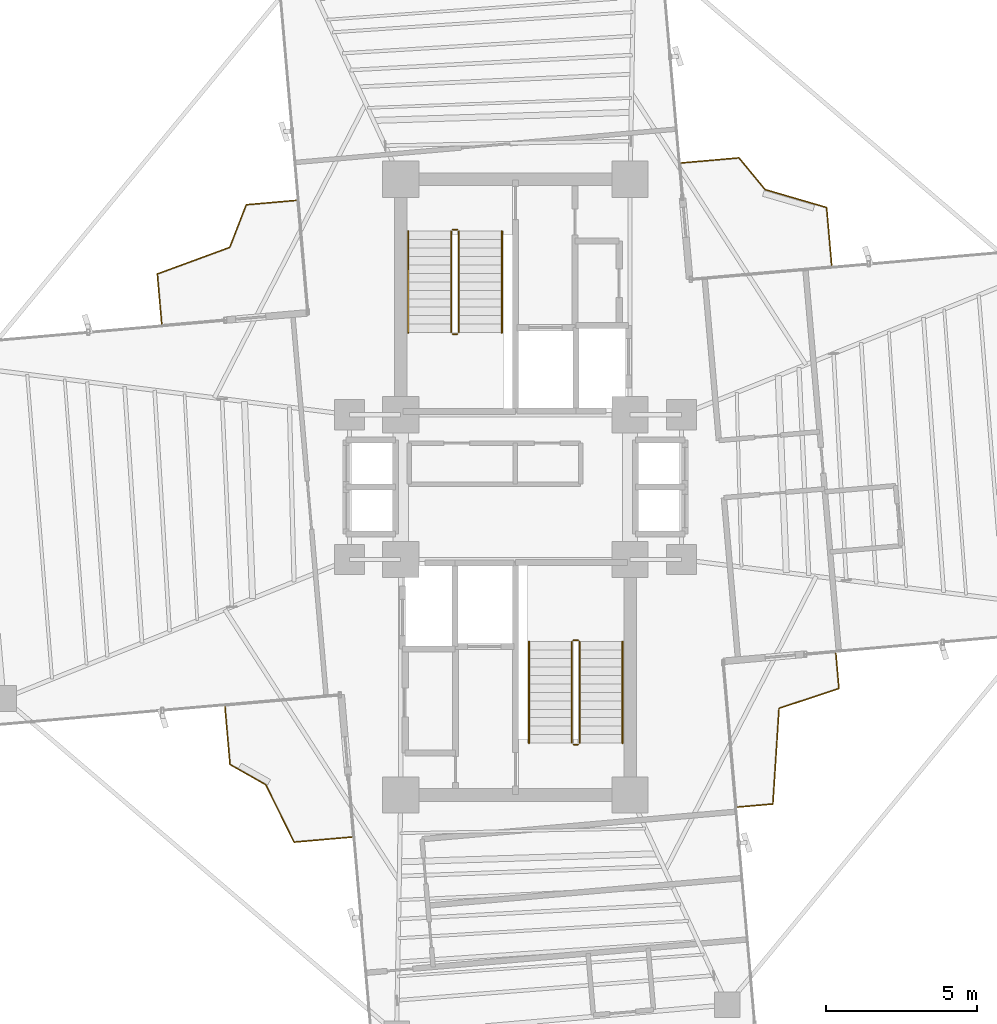
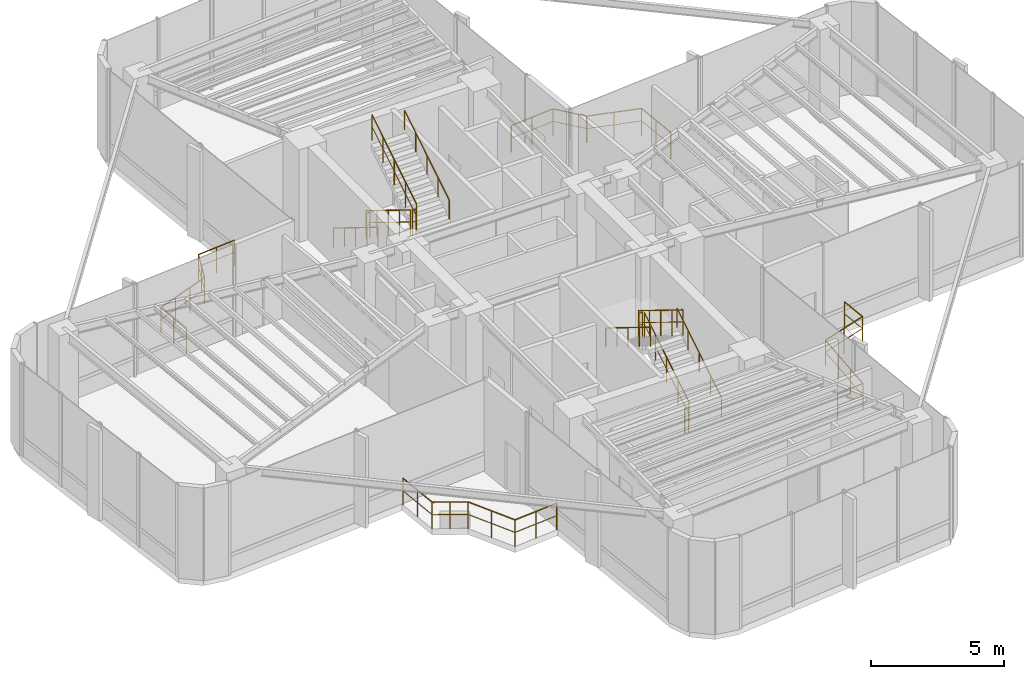
# One storey, part 19 of 19: 16 railings.
"""IFC4 building model written with IfcOpenShell, lengths in metres."""

from ifc_helpers import new_model, si_unit, direction, frame, origin, origin_2d, place, context, subcontext, project, spatial, circle, extrude, material, type_object, element, save


model = new_model("IFC4")

# Units and contexts
model_context = context("Model", 3, precision=1e-05, world=origin(), true_north=direction((0.0, 1.0)))
body_context = subcontext(model_context, "Body", "Model", "MODEL_VIEW")
ifc_project = project(units=[si_unit("LENGTHUNIT", "METRE"), si_unit("AREAUNIT", "SQUARE_METRE"), si_unit("VOLUMEUNIT", "CUBIC_METRE"), si_unit("PLANEANGLEUNIT", "RADIAN"), si_unit("MASSUNIT", "GRAM", prefix="KILO")], contexts=[model_context])

# Site, building, storey
site_placement = place(None, origin())
site = spatial("IfcSite", under=ifc_project, at=site_placement, CompositionType="ELEMENT")
building_placement = place(site_placement, origin())
building = spatial("IfcBuilding", under=site, at=building_placement, Name="Sahyath Konkavel Grand Hotel", CompositionType="ELEMENT")
storey_placement = place(building_placement, frame((0.0, 0.0, 170.699951171875)))
storey = spatial("IfcBuildingStorey", under=building, at=storey_placement, Name="L47", CompositionType="ELEMENT", Elevation=170.699951171875)

# Railings
ifc_material_1 = material(Name="Anodised Bronze Aluminium", Category="aluminium")
railing_type_1 = type_object("IfcRailingType", Name="RLG-BALC-1200", PredefinedType="GUARDRAIL", material=ifc_material_1)
railing_1_placement = place(storey_placement, frame((-7.265625, 9.5, 0.0)))
element("IfcRailing", 1, at=railing_1_placement, inside=storey, type_object=railing_type_1, Name="L47 Winter-Garden Guard NW", PredefinedType="GUARDRAIL", context=body_context, shape_type="SweptSolid", body=[
    extrude(circle(Radius=0.02392578125, at=origin_2d()), frame((-0.001953125, -0.000244140625, 1.17578125), z_axis=(-0.996183485611, -0.087283807176, 0.0), x_axis=(0.087283807176, -0.996183485611, 0.0)), (0.0, 0.0, 1.0), 1.65478515625),
    extrude(circle(Radius=0.01416015625, at=origin_2d()), frame((-0.001953125, -0.000244140625, 0.6240234375), z_axis=(-0.996183485611, -0.087283807176, 0.0), x_axis=(0.087283807176, -0.996183485611, 0.0)), (0.0, 0.0, 1.0), 1.65478515625),
    extrude(circle(Radius=0.02392578125, at=origin_2d()), frame((-1.653076171875, -0.146728515625, 1.17578125), z_axis=(-0.361116158026, -0.932520841811, 0.0), x_axis=(0.932520841811, -0.361116158026, 0.0)), (0.0, 0.0, 1.0), 1.510986328125),
    extrude(circle(Radius=0.01416015625, at=origin_2d()), frame((-1.653076171875, -0.146728515625, 0.6240234375), z_axis=(-0.361116158026, -0.932520841811, 0.0), x_axis=(0.932520841811, -0.361116158026, 0.0)), (0.0, 0.0, 1.0), 1.510986328125),
    extrude(circle(Radius=0.02392578125, at=origin_2d()), frame((-2.201416015625, -1.558349609375, 1.17578125), z_axis=(-0.938695003557, -0.34474873502, 0.0), x_axis=(0.34474873502, -0.938695003557, 0.0)), (0.0, 0.0, 1.0), 2.551025390625),
    extrude(circle(Radius=0.01416015625, at=origin_2d()), frame((-2.201416015625, -1.558349609375, 0.6240234375), z_axis=(-0.938695003557, -0.34474873502, 0.0), x_axis=(0.34474873502, -0.938695003557, 0.0)), (0.0, 0.0, 1.0), 2.551025390625),
    extrude(circle(Radius=0.02392578125, at=origin_2d()), frame((-4.59765625, -2.4404296875, 1.17578125), z_axis=(0.087137735495, -0.996196273358, 0.0), x_axis=(0.996196273358, 0.087137735495, 0.0)), (0.0, 0.0, 1.0), 1.654541015625),
    extrude(circle(Radius=0.01416015625, at=origin_2d()), frame((-4.59765625, -2.4404296875, 0.6240234375), z_axis=(0.087137735495, -0.996196273358, 0.0), x_axis=(0.996196273358, 0.087137735495, 0.0)), (0.0, 0.0, 1.0), 1.654541015625),
    extrude(circle(Radius=0.02099609375, at=origin_2d()), origin(), (0.0, 0.0, 1.0), 1.15185546875),
    extrude(circle(Radius=0.02099609375, at=origin_2d()), frame((-0.826171875, -0.072265625, 0.0)), (0.0, 0.0, 1.0), 1.15185546875),
    extrude(circle(Radius=0.02099609375, at=origin_2d()), frame((-1.65234375, -0.144775390625, 0.0)), (0.0, 0.0, 1.0), 1.15185546875),
    extrude(circle(Radius=0.02099609375, at=origin_2d()), frame((-1.92578125, -0.85107421875, 0.0)), (0.0, 0.0, 1.0), 1.15185546875),
    extrude(circle(Radius=0.02099609375, at=origin_2d()), frame((-2.199462890625, -1.5576171875, 0.0)), (0.0, 0.0, 1.0), 1.15185546875),
    extrude(circle(Radius=0.02099609375, at=origin_2d()), frame((-2.9990234375, -1.851318359375, 0.0)), (0.0, 0.0, 1.0), 1.15185546875),
    extrude(circle(Radius=0.02099609375, at=origin_2d()), frame((-3.79833984375, -2.144775390625, 0.0)), (0.0, 0.0, 1.0), 1.15185546875),
    extrude(circle(Radius=0.02099609375, at=origin_2d()), frame((-4.597900390625, -2.4384765625, 0.0)), (0.0, 0.0, 1.0), 1.15185546875),
    extrude(circle(Radius=0.02099609375, at=origin_2d()), frame((-4.525634765625, -3.2646484375, 0.0)), (0.0, 0.0, 1.0), 1.15185546875),
    extrude(circle(Radius=0.02099609375, at=origin_2d()), frame((-4.453369140625, -4.0908203125, 0.0)), (0.0, 0.0, 1.0), 1.15185546875),
])
railing_2_placement = place(storey_placement, frame((7.362060546875, -10.601806640625, 0.0)))
element("IfcRailing", 2, at=railing_2_placement, inside=storey, type_object=railing_type_1, Name="L47 Winter-Garden Guard SE", PredefinedType="GUARDRAIL", context=body_context, shape_type="SweptSolid", body=[
    extrude(circle(Radius=0.02392578125, at=origin_2d()), frame((0.001953125, 0.000244140625, 1.17578125), z_axis=(0.996192814095, 0.087177274249, 0.0), x_axis=(-0.087177274249, 0.996192814095, 0.0)), (0.0, 0.0, 1.0), 1.16943359375),
    extrude(circle(Radius=0.01416015625, at=origin_2d()), frame((0.001953125, 0.000244140625, 0.6240234375), z_axis=(0.996192814095, 0.087177274249, 0.0), x_axis=(-0.087177274249, 0.996192814095, 0.0)), (0.0, 0.0, 1.0), 1.16943359375),
    extrude(circle(Radius=0.02392578125, at=origin_2d()), frame((1.169189453125, 0.104248046875, 1.17578125), z_axis=(0.064253887567, 0.997933583929, 0.0), x_axis=(-0.997933583929, 0.064253887567, 0.0)), (0.0, 0.0, 1.0), 3.172607421875),
    extrude(circle(Radius=0.01416015625, at=origin_2d()), frame((1.169189453125, 0.104248046875, 0.6240234375), z_axis=(0.064253887567, 0.997933583929, 0.0), x_axis=(-0.997933583929, 0.064253887567, 0.0)), (0.0, 0.0, 1.0), 3.172607421875),
    extrude(circle(Radius=0.02392578125, at=origin_2d()), frame((1.375, 3.27294921875, 1.17578125), z_axis=(0.949602222055, 0.313457524824, 0.0), x_axis=(-0.313457524824, 0.949602222055, 0.0)), (0.0, 0.0, 1.0), 2.085693359375),
    extrude(circle(Radius=0.01416015625, at=origin_2d()), frame((1.375, 3.27294921875, 0.6240234375), z_axis=(0.949602222055, 0.313457524824, 0.0), x_axis=(-0.313457524824, 0.949602222055, 0.0)), (0.0, 0.0, 1.0), 2.085693359375),
    extrude(circle(Radius=0.02392578125, at=origin_2d()), frame((3.357177734375, 3.92919921875, 1.17578125), z_axis=(-0.087177274249, 0.996192814095, 0.0), x_axis=(-0.996192814095, -0.087177274249, 0.0)), (0.0, 0.0, 1.0), 1.16943359375),
    extrude(circle(Radius=0.01416015625, at=origin_2d()), frame((3.357177734375, 3.92919921875, 0.6240234375), z_axis=(-0.087177274249, 0.996192814095, 0.0), x_axis=(-0.996192814095, -0.087177274249, 0.0)), (0.0, 0.0, 1.0), 1.16943359375),
    extrude(circle(Radius=0.02099609375, at=origin_2d()), origin(), (0.0, 0.0, 1.0), 1.15185546875),
    extrude(circle(Radius=0.02099609375, at=origin_2d()), frame((1.1689453125, 0.102294921875, 0.0)), (0.0, 0.0, 1.0), 1.15185546875),
    extrude(circle(Radius=0.02099609375, at=origin_2d()), frame((1.237060546875, 1.158935546875, 0.0)), (0.0, 0.0, 1.0), 1.15185546875),
    extrude(circle(Radius=0.02099609375, at=origin_2d()), frame((1.304931640625, 2.215576171875, 0.0)), (0.0, 0.0, 1.0), 1.15185546875),
    extrude(circle(Radius=0.02099609375, at=origin_2d()), frame((1.373046875, 3.272216796875, 0.0)), (0.0, 0.0, 1.0), 1.15185546875),
    extrude(circle(Radius=0.02099609375, at=origin_2d()), frame((2.365234375, 3.599609375, 0.0)), (0.0, 0.0, 1.0), 1.15185546875),
    extrude(circle(Radius=0.02099609375, at=origin_2d()), frame((3.357421875, 3.92724609375, 0.0)), (0.0, 0.0, 1.0), 1.15185546875),
    extrude(circle(Radius=0.02099609375, at=origin_2d()), frame((3.255126953125, 5.09619140625, 0.0)), (0.0, 0.0, 1.0), 1.15185546875),
])
ifc_material_2 = material(Name="Steel E350", Category="steel")
railing_type_2 = type_object("IfcRailingType", Name="RLG-STAIR-GRD", PredefinedType="GUARDRAIL", material=ifc_material_2)
railing_3_placement = place(storey_placement, frame((-2.1298828125, 8.47998046875, 0.173095703125)))
element("IfcRailing", 3, at=railing_3_placement, inside=storey, type_object=railing_type_2, Name="L47 ST-1 stair guard 1", PredefinedType="GUARDRAIL", context=body_context, shape_type="SweptSolid", body=[
    extrude(circle(Radius=0.02392578125, at=origin_2d()), frame((0.0, -0.001708984375, 1.177001953125), z_axis=(0.0, -0.850606129759, 0.525803396734), x_axis=(1.0, 0.0, 0.0)), (0.0, 0.0, 1.0), 3.946044921875),
    extrude(circle(Radius=0.01416015625, at=origin_2d()), frame((0.0, -0.001708984375, 0.625), z_axis=(0.0, -0.850606129759, 0.525803396734), x_axis=(1.0, 0.0, 0.0)), (0.0, 0.0, 1.0), 3.946044921875),
    extrude(circle(Radius=0.02099609375, at=origin_2d()), origin(), (0.0, 0.0, 1.0), 1.15185546875),
    extrude(circle(Radius=0.02099609375, at=origin_2d()), frame((0.0, -0.83984375, 0.519287109375)), (0.0, 0.0, 1.0), 1.15185546875),
    extrude(circle(Radius=0.02099609375, at=origin_2d()), frame((0.0, -1.679931640625, 1.03857421875)), (0.0, 0.0, 1.0), 1.15185546875),
    extrude(circle(Radius=0.02099609375, at=origin_2d()), frame((0.0, -2.52001953125, 1.5576171875)), (0.0, 0.0, 1.0), 1.15185546875),
    extrude(circle(Radius=0.02099609375, at=origin_2d()), frame((0.0, -3.35986328125, 2.076904296875)), (0.0, 0.0, 1.0), 1.15185546875),
])
railing_4_placement = place(storey_placement, frame((-2.080078125, 5.070068359375, 2.25)))
element("IfcRailing", 4, at=railing_4_placement, inside=storey, type_object=railing_type_2, Name="L47 ST-1 stair guard 2", PredefinedType="GUARDRAIL", context=body_context, shape_type="SweptSolid", body=[
    extrude(circle(Radius=0.02392578125, at=origin_2d()), frame((0.001953125, 0.0, 1.17578125), z_axis=(1.0, 0.0, 0.0), x_axis=(0.0, 1.0, 0.0)), (0.0, 0.0, 1.0), 0.15625),
    extrude(circle(Radius=0.01416015625, at=origin_2d()), frame((0.001953125, 0.0, 0.6240234375), z_axis=(1.0, 0.0, 0.0), x_axis=(0.0, 1.0, 0.0)), (0.0, 0.0, 1.0), 0.15625),
    extrude(circle(Radius=0.02099609375, at=origin_2d()), origin(), (0.0, 0.0, 1.0), 1.15185546875),
    extrude(circle(Radius=0.02099609375, at=origin_2d()), frame((0.16015625, 0.0, 0.0)), (0.0, 0.0, 1.0), 1.15185546875),
])
railing_5_placement = place(storey_placement, frame((-1.8701171875, 5.1201171875, 2.423095703125)))
element("IfcRailing", 5, at=railing_5_placement, inside=storey, type_object=railing_type_2, Name="L47 ST-1 stair guard 3", PredefinedType="GUARDRAIL", context=body_context, shape_type="SweptSolid", body=[
    extrude(circle(Radius=0.02392578125, at=origin_2d()), frame((0.0, 0.001708984375, 1.177001953125), z_axis=(0.0, 0.850606129759, 0.525803396734), x_axis=(-1.0, 0.0, 0.0)), (0.0, 0.0, 1.0), 3.946044921875),
    extrude(circle(Radius=0.01416015625, at=origin_2d()), frame((0.0, 0.001708984375, 0.625), z_axis=(0.0, 0.850606129759, 0.525803396734), x_axis=(-1.0, 0.0, 0.0)), (0.0, 0.0, 1.0), 3.946044921875),
    extrude(circle(Radius=0.02099609375, at=origin_2d()), origin(), (0.0, 0.0, 1.0), 1.15185546875),
    extrude(circle(Radius=0.02099609375, at=origin_2d()), frame((0.0, 0.83984375, 0.519287109375)), (0.0, 0.0, 1.0), 1.15185546875),
    extrude(circle(Radius=0.02099609375, at=origin_2d()), frame((0.0, 1.679931640625, 1.03857421875)), (0.0, 0.0, 1.0), 1.15185546875),
    extrude(circle(Radius=0.02099609375, at=origin_2d()), frame((0.0, 2.52001953125, 1.5576171875)), (0.0, 0.0, 1.0), 1.15185546875),
    extrude(circle(Radius=0.02099609375, at=origin_2d()), frame((0.0, 3.35986328125, 2.076904296875)), (0.0, 0.0, 1.0), 1.15185546875),
])
railing_6_placement = place(storey_placement, frame((-2.080078125, 8.530029296875, 0.0)))
element("IfcRailing", 6, at=railing_6_placement, inside=storey, type_object=railing_type_2, Name="L47 ST-1 stair guard 4", PredefinedType="GUARDRAIL", context=body_context, shape_type="SweptSolid", body=[
    extrude(circle(Radius=0.02392578125, at=origin_2d()), frame((0.001953125, 0.0, 1.17578125), z_axis=(1.0, 0.0, 0.0), x_axis=(0.0, 1.0, 0.0)), (0.0, 0.0, 1.0), 0.15625),
    extrude(circle(Radius=0.01416015625, at=origin_2d()), frame((0.001953125, 0.0, 0.6240234375), z_axis=(1.0, 0.0, 0.0), x_axis=(0.0, 1.0, 0.0)), (0.0, 0.0, 1.0), 0.15625),
    extrude(circle(Radius=0.02099609375, at=origin_2d()), origin(), (0.0, 0.0, 1.0), 1.15185546875),
    extrude(circle(Radius=0.02099609375, at=origin_2d()), frame((0.16015625, 0.0, 0.0)), (0.0, 0.0, 1.0), 1.15185546875),
])
railing_7_placement = place(storey_placement, frame((2.1298828125, -8.47998046875, 0.173095703125)))
element("IfcRailing", 7, at=railing_7_placement, inside=storey, type_object=railing_type_2, Name="L47 ST-2 stair guard 1", PredefinedType="GUARDRAIL", context=body_context, shape_type="SweptSolid", body=[
    extrude(circle(Radius=0.02392578125, at=origin_2d()), frame((0.0, 0.001708984375, 1.177001953125), z_axis=(0.0, 0.850606129759, 0.525803396734), x_axis=(-1.0, 0.0, 0.0)), (0.0, 0.0, 1.0), 3.946044921875),
    extrude(circle(Radius=0.01416015625, at=origin_2d()), frame((0.0, 0.001708984375, 0.625), z_axis=(0.0, 0.850606129759, 0.525803396734), x_axis=(-1.0, 0.0, 0.0)), (0.0, 0.0, 1.0), 3.946044921875),
    extrude(circle(Radius=0.02099609375, at=origin_2d()), origin(), (0.0, 0.0, 1.0), 1.15185546875),
    extrude(circle(Radius=0.02099609375, at=origin_2d()), frame((0.0, 0.83984375, 0.519287109375)), (0.0, 0.0, 1.0), 1.15185546875),
    extrude(circle(Radius=0.02099609375, at=origin_2d()), frame((0.0, 1.679931640625, 1.03857421875)), (0.0, 0.0, 1.0), 1.15185546875),
    extrude(circle(Radius=0.02099609375, at=origin_2d()), frame((0.0, 2.52001953125, 1.5576171875)), (0.0, 0.0, 1.0), 1.15185546875),
    extrude(circle(Radius=0.02099609375, at=origin_2d()), frame((0.0, 3.35986328125, 2.076904296875)), (0.0, 0.0, 1.0), 1.15185546875),
])
railing_8_placement = place(storey_placement, frame((2.080078125, -5.070068359375, 2.25)))
element("IfcRailing", 8, at=railing_8_placement, inside=storey, type_object=railing_type_2, Name="L47 ST-2 stair guard 2", PredefinedType="GUARDRAIL", context=body_context, shape_type="SweptSolid", body=[
    extrude(circle(Radius=0.02392578125, at=origin_2d()), frame((-0.001953125, 0.0, 1.17578125), z_axis=(-1.0, 0.0, 0.0), x_axis=(0.0, -1.0, 0.0)), (0.0, 0.0, 1.0), 0.15625),
    extrude(circle(Radius=0.01416015625, at=origin_2d()), frame((-0.001953125, 0.0, 0.6240234375), z_axis=(-1.0, 0.0, 0.0), x_axis=(0.0, -1.0, 0.0)), (0.0, 0.0, 1.0), 0.15625),
    extrude(circle(Radius=0.02099609375, at=origin_2d()), origin(), (0.0, 0.0, 1.0), 1.15185546875),
    extrude(circle(Radius=0.02099609375, at=origin_2d()), frame((-0.16015625, 0.0, 0.0)), (0.0, 0.0, 1.0), 1.15185546875),
])
railing_9_placement = place(storey_placement, frame((1.8701171875, -5.1201171875, 2.423095703125)))
element("IfcRailing", 9, at=railing_9_placement, inside=storey, type_object=railing_type_2, Name="L47 ST-2 stair guard 3", PredefinedType="GUARDRAIL", context=body_context, shape_type="SweptSolid", body=[
    extrude(circle(Radius=0.02392578125, at=origin_2d()), frame((0.0, -0.001708984375, 1.177001953125), z_axis=(0.0, -0.850606129759, 0.525803396734), x_axis=(1.0, 0.0, 0.0)), (0.0, 0.0, 1.0), 3.946044921875),
    extrude(circle(Radius=0.01416015625, at=origin_2d()), frame((0.0, -0.001708984375, 0.625), z_axis=(0.0, -0.850606129759, 0.525803396734), x_axis=(1.0, 0.0, 0.0)), (0.0, 0.0, 1.0), 3.946044921875),
    extrude(circle(Radius=0.02099609375, at=origin_2d()), origin(), (0.0, 0.0, 1.0), 1.15185546875),
    extrude(circle(Radius=0.02099609375, at=origin_2d()), frame((0.0, -0.83984375, 0.519287109375)), (0.0, 0.0, 1.0), 1.15185546875),
    extrude(circle(Radius=0.02099609375, at=origin_2d()), frame((0.0, -1.679931640625, 1.03857421875)), (0.0, 0.0, 1.0), 1.15185546875),
    extrude(circle(Radius=0.02099609375, at=origin_2d()), frame((0.0, -2.52001953125, 1.5576171875)), (0.0, 0.0, 1.0), 1.15185546875),
    extrude(circle(Radius=0.02099609375, at=origin_2d()), frame((0.0, -3.35986328125, 2.076904296875)), (0.0, 0.0, 1.0), 1.15185546875),
])
railing_10_placement = place(storey_placement, frame((2.080078125, -8.530029296875, 0.0)))
element("IfcRailing", 10, at=railing_10_placement, inside=storey, type_object=railing_type_2, Name="L47 ST-2 stair guard 4", PredefinedType="GUARDRAIL", context=body_context, shape_type="SweptSolid", body=[
    extrude(circle(Radius=0.02392578125, at=origin_2d()), frame((-0.001953125, 0.0, 1.17578125), z_axis=(-1.0, 0.0, 0.0), x_axis=(0.0, -1.0, 0.0)), (0.0, 0.0, 1.0), 0.15625),
    extrude(circle(Radius=0.01416015625, at=origin_2d()), frame((-0.001953125, 0.0, 0.6240234375), z_axis=(-1.0, 0.0, 0.0), x_axis=(0.0, -1.0, 0.0)), (0.0, 0.0, 1.0), 0.15625),
    extrude(circle(Radius=0.02099609375, at=origin_2d()), origin(), (0.0, 0.0, 1.0), 1.15185546875),
    extrude(circle(Radius=0.02099609375, at=origin_2d()), frame((-0.16015625, 0.0, 0.0)), (0.0, 0.0, 1.0), 1.15185546875),
])
railing_type_3 = type_object("IfcRailingType", Name="RLG-STAIR-HND", PredefinedType="HANDRAIL", material=ifc_material_1)
railing_11_placement = place(storey_placement, frame((-3.550048828125, 8.47998046875, 0.173095703125)))
element("IfcRailing", 11, at=railing_11_placement, inside=storey, type_object=railing_type_3, Name="L47 ST-1 stair handrail 1", PredefinedType="HANDRAIL", context=body_context, shape_type="SweptSolid", body=[
    extrude(circle(Radius=0.02392578125, at=origin_2d()), frame((0.0, -0.001708984375, 0.876953125), z_axis=(0.0, -0.850606129759, 0.525803396734), x_axis=(1.0, 0.0, 0.0)), (0.0, 0.0, 1.0), 3.946044921875),
    extrude(circle(Radius=0.02099609375, at=origin_2d()), origin(), (0.0, 0.0, 1.0), 0.851806640625),
    extrude(circle(Radius=0.02099609375, at=origin_2d()), frame((0.0, -0.83984375, 0.519287109375)), (0.0, 0.0, 1.0), 0.851806640625),
    extrude(circle(Radius=0.02099609375, at=origin_2d()), frame((0.0, -1.679931640625, 1.03857421875)), (0.0, 0.0, 1.0), 0.851806640625),
    extrude(circle(Radius=0.02099609375, at=origin_2d()), frame((0.0, -2.52001953125, 1.5576171875)), (0.0, 0.0, 1.0), 0.851806640625),
    extrude(circle(Radius=0.02099609375, at=origin_2d()), frame((0.0, -3.35986328125, 2.076904296875)), (0.0, 0.0, 1.0), 0.851806640625),
])
for number, where, name in (
    (12, (-0.449951171875, 5.1201171875, 2.423095703125), "L47 ST-1 stair handrail 2"),
    (13, (3.550048828125, -8.47998046875, 0.173095703125), "L47 ST-2 stair handrail 1"),
):
    element("IfcRailing", number, at=place(storey_placement, frame(where)), inside=storey, type_object=railing_type_3, Name=name, PredefinedType="HANDRAIL", context=body_context, shape_type="SweptSolid", body=[
        extrude(circle(Radius=0.02392578125, at=origin_2d()), frame((0.0, 0.001708984375, 0.876953125), z_axis=(0.0, 0.850606129759, 0.525803396734), x_axis=(-1.0, 0.0, 0.0)), (0.0, 0.0, 1.0), 3.946044921875),
        extrude(circle(Radius=0.02099609375, at=origin_2d()), origin(), (0.0, 0.0, 1.0), 0.851806640625),
        extrude(circle(Radius=0.02099609375, at=origin_2d()), frame((0.0, 0.83984375, 0.519287109375)), (0.0, 0.0, 1.0), 0.851806640625),
        extrude(circle(Radius=0.02099609375, at=origin_2d()), frame((0.0, 1.679931640625, 1.03857421875)), (0.0, 0.0, 1.0), 0.851806640625),
        extrude(circle(Radius=0.02099609375, at=origin_2d()), frame((0.0, 2.52001953125, 1.5576171875)), (0.0, 0.0, 1.0), 0.851806640625),
        extrude(circle(Radius=0.02099609375, at=origin_2d()), frame((0.0, 3.35986328125, 2.076904296875)), (0.0, 0.0, 1.0), 0.851806640625),
    ])
railing_12_placement = place(storey_placement, frame((0.449951171875, -5.1201171875, 2.423095703125)))
element("IfcRailing", 14, at=railing_12_placement, inside=storey, type_object=railing_type_3, Name="L47 ST-2 stair handrail 2", PredefinedType="HANDRAIL", context=body_context, shape_type="SweptSolid", body=[
    extrude(circle(Radius=0.02392578125, at=origin_2d()), frame((0.0, -0.001708984375, 0.876953125), z_axis=(0.0, -0.850606129759, 0.525803396734), x_axis=(1.0, 0.0, 0.0)), (0.0, 0.0, 1.0), 3.946044921875),
    extrude(circle(Radius=0.02099609375, at=origin_2d()), origin(), (0.0, 0.0, 1.0), 0.851806640625),
    extrude(circle(Radius=0.02099609375, at=origin_2d()), frame((0.0, -0.83984375, 0.519287109375)), (0.0, 0.0, 1.0), 0.851806640625),
    extrude(circle(Radius=0.02099609375, at=origin_2d()), frame((0.0, -1.679931640625, 1.03857421875)), (0.0, 0.0, 1.0), 0.851806640625),
    extrude(circle(Radius=0.02099609375, at=origin_2d()), frame((0.0, -2.52001953125, 1.5576171875)), (0.0, 0.0, 1.0), 0.851806640625),
    extrude(circle(Radius=0.02099609375, at=origin_2d()), frame((0.0, -3.35986328125, 2.076904296875)), (0.0, 0.0, 1.0), 0.851806640625),
])
ifc_material_3 = material(Name="Warm Buff Sandstone & Bronze Balustrade", Category="masonry")
railing_type_4 = type_object("IfcRailingType", Name="RLG-TERR-1250", PredefinedType="BALUSTRADE", material=ifc_material_3)
railing_13_placement = place(storey_placement, frame((10.478271484375, 7.351318359375, 0.0)))
element("IfcRailing", 15, at=railing_13_placement, inside=storey, type_object=railing_type_4, Name="L47 Sky-Garden Balustrade NE", PredefinedType="BALUSTRADE", context=body_context, shape_type="SweptSolid", body=[
    extrude(circle(Radius=0.02392578125, at=origin_2d()), frame((-0.000244140625, 0.001953125, 1.22607421875), z_axis=(-0.087233202944, 0.996187918168, 0.0), x_axis=(-0.996187918168, -0.087233202944, 0.0)), (0.0, 0.0, 1.0), 1.916015625),
    extrude(circle(Radius=0.01416015625, at=origin_2d()), frame((-0.000244140625, 0.001953125, 0.64990234375), z_axis=(-0.087233202944, 0.996187918168, 0.0), x_axis=(-0.996187918168, -0.087233202944, 0.0)), (0.0, 0.0, 1.0), 1.916015625),
    extrude(circle(Radius=0.02392578125, at=origin_2d()), frame((-0.16943359375, 1.9130859375, 1.22607421875), z_axis=(-0.960012875804, 0.279955850609, 0.0), x_axis=(-0.279955850609, -0.960012875804, 0.0)), (0.0, 0.0, 1.0), 2.119384765625),
    extrude(circle(Radius=0.01416015625, at=origin_2d()), frame((-0.16943359375, 1.9130859375, 0.64990234375), z_axis=(-0.960012875804, 0.279955850609, 0.0), x_axis=(-0.279955850609, -0.960012875804, 0.0)), (0.0, 0.0, 1.0), 2.119384765625),
    extrude(circle(Radius=0.02392578125, at=origin_2d()), frame((-2.207275390625, 2.508544921875, 1.22607421875), z_axis=(-0.635795334136, 0.771857689662, 0.0), x_axis=(-0.771857689662, -0.635795334136, 0.0)), (0.0, 0.0, 1.0), 1.356201171875),
    extrude(circle(Radius=0.01416015625, at=origin_2d()), frame((-2.207275390625, 2.508544921875, 0.64990234375), z_axis=(-0.635795334136, 0.771857689662, 0.0), x_axis=(-0.771857689662, -0.635795334136, 0.0)), (0.0, 0.0, 1.0), 1.356201171875),
    extrude(circle(Radius=0.02392578125, at=origin_2d()), frame((-3.07275390625, 3.556640625, 1.22607421875), z_axis=(-0.996187918168, -0.087233202944, 0.0), x_axis=(0.087233202944, -0.996187918168, 0.0)), (0.0, 0.0, 1.0), 1.916015625),
    extrude(circle(Radius=0.01416015625, at=origin_2d()), frame((-3.07275390625, 3.556640625, 0.64990234375), z_axis=(-0.996187918168, -0.087233202944, 0.0), x_axis=(0.087233202944, -0.996187918168, 0.0)), (0.0, 0.0, 1.0), 1.916015625),
    extrude(circle(Radius=0.02099609375, at=origin_2d()), origin(), (0.0, 0.0, 1.0), 1.201904296875),
    extrude(circle(Radius=0.02099609375, at=origin_2d()), frame((-0.083740234375, 0.956298828125, 0.0)), (0.0, 0.0, 1.0), 1.201904296875),
    extrude(circle(Radius=0.02099609375, at=origin_2d()), frame((-0.16748046875, 1.91259765625, 0.0)), (0.0, 0.0, 1.0), 1.201904296875),
    extrude(circle(Radius=0.02099609375, at=origin_2d()), frame((-1.186767578125, 2.2099609375, 0.0)), (0.0, 0.0, 1.0), 1.201904296875),
    extrude(circle(Radius=0.02099609375, at=origin_2d()), frame((-2.2060546875, 2.507080078125, 0.0)), (0.0, 0.0, 1.0), 1.201904296875),
    extrude(circle(Radius=0.02099609375, at=origin_2d()), frame((-2.638427734375, 3.031982421875, 0.0)), (0.0, 0.0, 1.0), 1.201904296875),
    extrude(circle(Radius=0.02099609375, at=origin_2d()), frame((-3.07080078125, 3.556884765625, 0.0)), (0.0, 0.0, 1.0), 1.201904296875),
    extrude(circle(Radius=0.02099609375, at=origin_2d()), frame((-4.027099609375, 3.47314453125, 0.0)), (0.0, 0.0, 1.0), 1.201904296875),
    extrude(circle(Radius=0.02099609375, at=origin_2d()), frame((-4.9833984375, 3.389404296875, 0.0)), (0.0, 0.0, 1.0), 1.201904296875),
])
railing_14_placement = place(storey_placement, frame((-9.62353515625, -7.2763671875, 0.0)))
element("IfcRailing", 16, at=railing_14_placement, inside=storey, type_object=railing_type_4, Name="L47 Sky-Garden Balustrade SW", PredefinedType="BALUSTRADE", context=body_context, shape_type="SweptSolid", body=[
    extrude(circle(Radius=0.02392578125, at=origin_2d()), frame((0.000244140625, -0.001953125, 1.22607421875), z_axis=(0.087222153867, -0.996188885641, 0.0), x_axis=(0.996188885641, 0.087222153867, 0.0)), (0.0, 0.0, 1.0), 1.916259765625),
    extrude(circle(Radius=0.01416015625, at=origin_2d()), frame((0.000244140625, -0.001953125, 0.64990234375), z_axis=(0.087222153867, -0.996188885641, 0.0), x_axis=(0.996188885641, 0.087222153867, 0.0)), (0.0, 0.0, 1.0), 1.916259765625),
    extrude(circle(Radius=0.02392578125, at=origin_2d()), frame((0.169189453125, -1.913818359375, 1.22607421875), z_axis=(0.870542775863, -0.492092750802, 0.0), x_axis=(0.492092750802, 0.870542775863, 0.0)), (0.0, 0.0, 1.0), 1.35595703125),
    extrude(circle(Radius=0.01416015625, at=origin_2d()), frame((0.169189453125, -1.913818359375, 0.64990234375), z_axis=(0.870542775863, -0.492092750802, 0.0), x_axis=(0.492092750802, 0.870542775863, 0.0)), (0.0, 0.0, 1.0), 1.35595703125),
    extrude(circle(Radius=0.02392578125, at=origin_2d()), frame((1.352294921875, -2.583740234375, 1.22607421875), z_axis=(0.442424236489, -0.896805884775, 0.0), x_axis=(0.896805884775, 0.442424236489, 0.0)), (0.0, 0.0, 1.0), 2.119384765625),
    extrude(circle(Radius=0.01416015625, at=origin_2d()), frame((1.352294921875, -2.583740234375, 0.64990234375), z_axis=(0.442424236489, -0.896805884775, 0.0), x_axis=(0.896805884775, 0.442424236489, 0.0)), (0.0, 0.0, 1.0), 2.119384765625),
    extrude(circle(Radius=0.02392578125, at=origin_2d()), frame((2.292724609375, -4.486083984375, 1.22607421875), z_axis=(0.996199925455, 0.087095973061, 0.0), x_axis=(-0.087095973061, 0.996199925455, 0.0)), (0.0, 0.0, 1.0), 1.916259765625),
    extrude(circle(Radius=0.01416015625, at=origin_2d()), frame((2.292724609375, -4.486083984375, 0.64990234375), z_axis=(0.996199925455, 0.087095973061, 0.0), x_axis=(-0.087095973061, 0.996199925455, 0.0)), (0.0, 0.0, 1.0), 1.916259765625),
    extrude(circle(Radius=0.02099609375, at=origin_2d()), origin(), (0.0, 0.0, 1.0), 1.201904296875),
    extrude(circle(Radius=0.02099609375, at=origin_2d()), frame((0.083740234375, -0.95654296875, 0.0)), (0.0, 0.0, 1.0), 1.201904296875),
    extrude(circle(Radius=0.02099609375, at=origin_2d()), frame((0.16748046875, -1.912841796875, 0.0)), (0.0, 0.0, 1.0), 1.201904296875),
    extrude(circle(Radius=0.02099609375, at=origin_2d()), frame((0.75927734375, -2.24755859375, 0.0)), (0.0, 0.0, 1.0), 1.201904296875),
    extrude(circle(Radius=0.02099609375, at=origin_2d()), frame((1.351318359375, -2.58203125, 0.0)), (0.0, 0.0, 1.0), 1.201904296875),
    extrude(circle(Radius=0.02099609375, at=origin_2d()), frame((1.821044921875, -3.5341796875, 0.0)), (0.0, 0.0, 1.0), 1.201904296875),
    extrude(circle(Radius=0.02099609375, at=origin_2d()), frame((2.290771484375, -4.486328125, 0.0)), (0.0, 0.0, 1.0), 1.201904296875),
    extrude(circle(Radius=0.02099609375, at=origin_2d()), frame((3.2470703125, -4.40283203125, 0.0)), (0.0, 0.0, 1.0), 1.201904296875),
    extrude(circle(Radius=0.02099609375, at=origin_2d()), frame((4.20361328125, -4.319091796875, 0.0)), (0.0, 0.0, 1.0), 1.201904296875),
])

save(model, "model.ifc")
